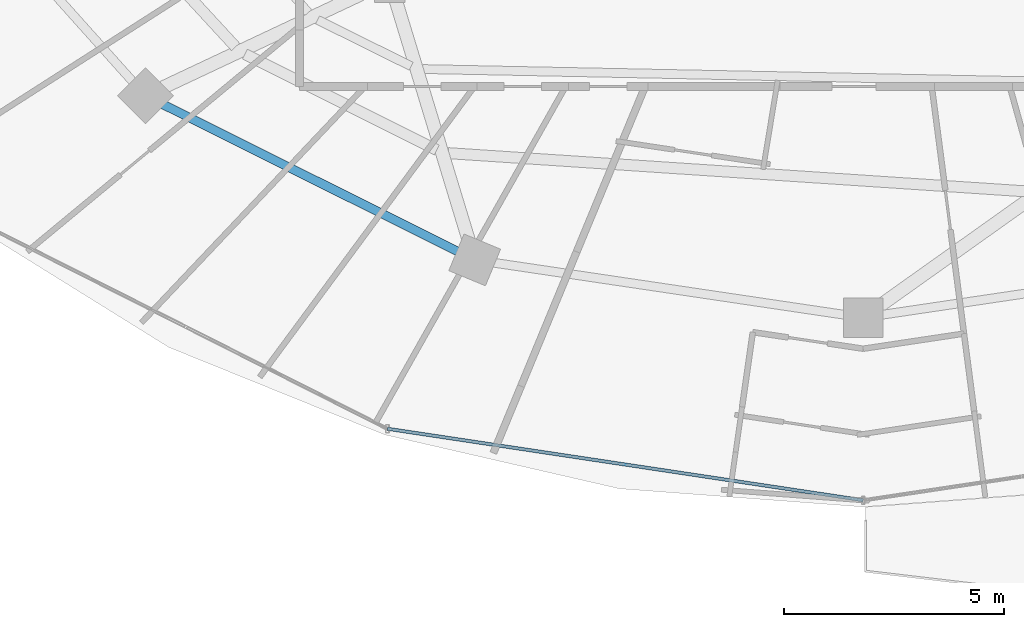
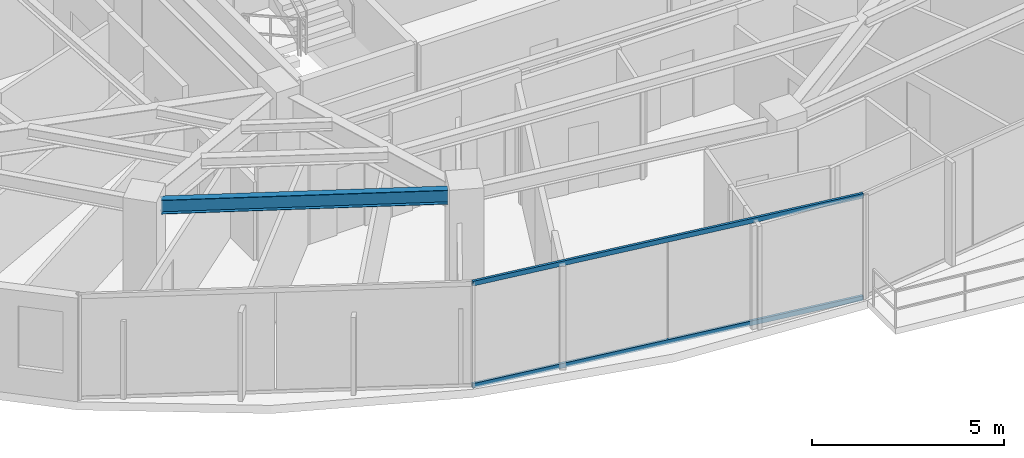
# One storey, part 4 of 34: 2 members, 1 beam, 1 element without a shape of its own.
"""IFC4 building model written with IfcOpenShell, lengths in metres."""

from ifc_helpers import new_model, si_unit, direction, frame, origin, origin_2d, place, context, subcontext, project, spatial, hollow_rectangle, i_section, extrude, material, material_profile, profile_set, type_object, element, aggregate, save


model = new_model("IFC4")

# Units and contexts
model_context = context("Model", 3, precision=1e-05, world=origin(), true_north=direction((0.0, 1.0)))
body_context = subcontext(model_context, "Body", "Model", "MODEL_VIEW")
ifc_project = project(units=[si_unit("LENGTHUNIT", "METRE"), si_unit("AREAUNIT", "SQUARE_METRE"), si_unit("VOLUMEUNIT", "CUBIC_METRE"), si_unit("PLANEANGLEUNIT", "RADIAN"), si_unit("MASSUNIT", "GRAM", prefix="KILO")], contexts=[model_context])

# Site, building, storey
site_placement = place(None, origin())
site = spatial("IfcSite", under=ifc_project, at=site_placement, CompositionType="ELEMENT")
building_placement = place(site_placement, origin())
building = spatial("IfcBuilding", under=site, at=building_placement, Name="Vorneva Point Tower", CompositionType="ELEMENT")
storey_placement = place(building_placement, frame((0.0, 0.0, 210.75)))
storey = spatial("IfcBuildingStorey", under=building, at=storey_placement, Name="L57", CompositionType="ELEMENT", Elevation=210.75)

# Beam
ifc_material_1 = material(Name="Steel S355", Category="steel")
ifc_material_profile_1 = material_profile(ifc_material_1, i_section(OverallWidth=0.198974609375, OverallDepth=0.446044921875, WebThickness=0.008056640625, FlangeThickness=0.011962890625, at=origin_2d()), Name="45B1")
ifc_profile_set_1 = profile_set([ifc_material_profile_1], Name="Steel S355")
beam_type = type_object("IfcBeamType", Name="BM-SPN-45B1", PredefinedType="SPANDREL", material=ifc_profile_set_1)
beam_placement = place(storey_placement, frame((22.090576171875, 13.643798828125, 3.06689453125), z_axis=(0.894922371084, -0.446221861559, 0.0), x_axis=(0.446221861559, 0.894922371084, 0.0)))
element("IfcBeam", 1, at=beam_placement, inside=storey, type_object=beam_type, Name="L57 Perimeter Spandrel Ring Beam 11", PredefinedType="SPANDREL", context=body_context, shape_type="SweptSolid", body=[
    extrude(i_section(OverallWidth=0.198974609375, OverallDepth=0.446044921875, WebThickness=0.008056640625, FlangeThickness=0.011962890625, at=origin_2d()), origin(), (0.0, 0.0, 1.0), 7.48583984375),
])

# Curtain wall, members
ifc_material_2 = material(Name="Pale anodised aluminium", Category="aluminium")
curtain_wall_type = type_object("IfcCurtainWallType", Name="CW-RES-SYS", PredefinedType="NOTDEFINED", material=ifc_material_2)
curtain_wall_placement = place(storey_placement, origin())
curtain_wall = element("IfcCurtainWall", 2, at=curtain_wall_placement, inside=storey, type_object=curtain_wall_type, Name="L57 Unitised Curtain Wall CW-L57-R04", PredefinedType="NOTDEFINED")
ifc_material_profile_2 = material_profile(ifc_material_2, hollow_rectangle(XDim=0.074951171875, YDim=0.14990234375, WallThickness=0.00390625, at=origin_2d()), Name="AL-TRN 150x75x4")
ifc_profile_set_2 = profile_set([ifc_material_profile_2], Name="Pale anodised aluminium")
member_type = type_object("IfcMemberType", Name="CW-TRN-150", PredefinedType="USERDEFINED", material=ifc_profile_set_2)
member_1_placement = place(storey_placement, frame((27.19677734375, 6.275146484375, 0.02001953125), z_axis=(0.988872333273, -0.148766624239, 0.0), x_axis=(0.148766624239, 0.988872333273, 0.0)))
member_1 = element("IfcMember", 3, at=member_1_placement, type_object=member_type, Name="CW-L57-R04 Transom 02.1", ObjectType="TRANSOM", PredefinedType="USERDEFINED", context=body_context, shape_type="SweptSolid", body=[
    extrude(hollow_rectangle(XDim=0.074951171875, YDim=0.14990234375, WallThickness=0.00390625, at=origin_2d()), origin(), (0.0, 0.0, 1.0), 10.9248046875),
])
member_2_placement = place(storey_placement, frame((27.19677734375, 6.275146484375, 3.27001953125), z_axis=(0.988872333273, -0.148766624239, 0.0), x_axis=(0.148766624239, 0.988872333273, 0.0)))
member_2 = element("IfcMember", 4, at=member_2_placement, type_object=member_type, Name="CW-L57-R04 Transom 02.2", ObjectType="TRANSOM", PredefinedType="USERDEFINED", context=body_context, shape_type="SweptSolid", body=[
    extrude(hollow_rectangle(XDim=0.074951171875, YDim=0.14990234375, WallThickness=0.00390625, at=origin_2d()), origin(), (0.0, 0.0, 1.0), 10.9248046875),
])
aggregate(curtain_wall, [member_1, member_2])

save(model, "model.ifc")
